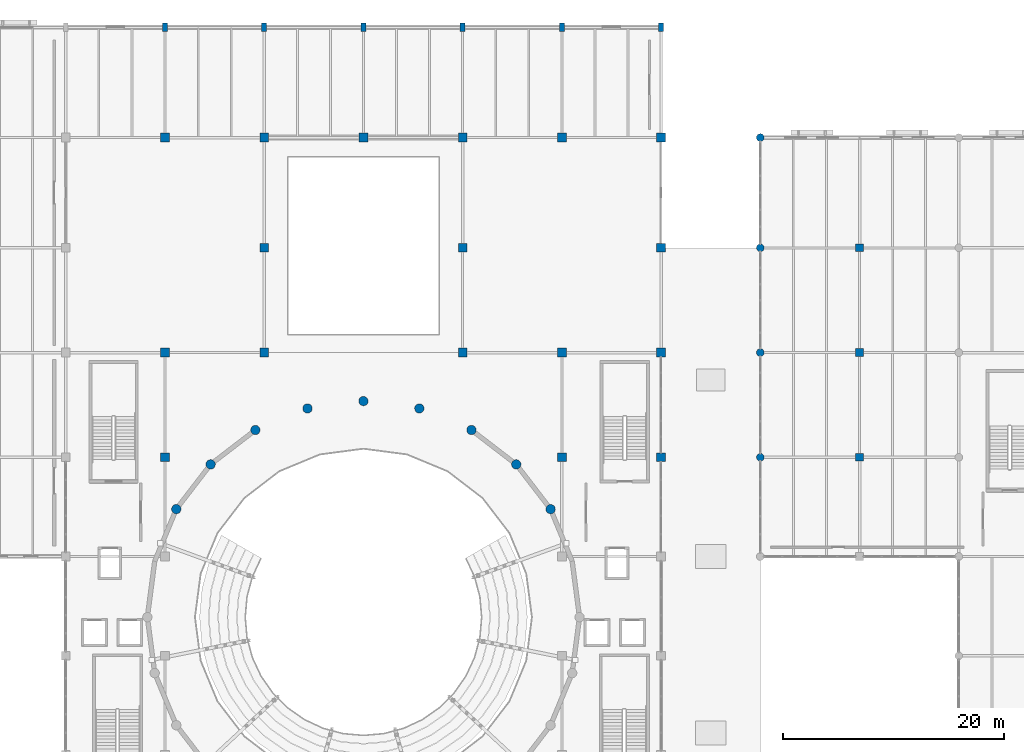
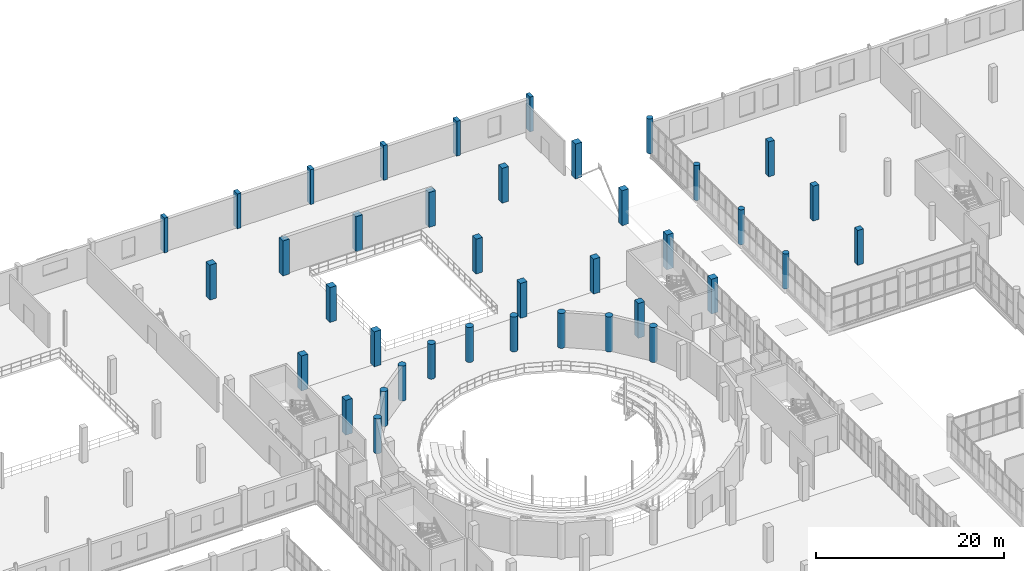
# One storey, part 16 of 93: 39 columns.
"""IFC4 building model written with IfcOpenShell, lengths in metres."""

from ifc_helpers import new_model, si_unit, direction, frame, origin, origin_2d, place, context, subcontext, project, spatial, rectangle, circle, extrude, material, material_profile, profile_set, type_object, element, save


model = new_model("IFC4")

# Units and contexts
model_context = context("Model", 3, precision=1e-05, world=origin(), true_north=direction((0.0, 1.0)))
body_context = subcontext(model_context, "Body", "Model", "MODEL_VIEW")
ifc_project = project(units=[si_unit("LENGTHUNIT", "METRE"), si_unit("AREAUNIT", "SQUARE_METRE"), si_unit("VOLUMEUNIT", "CUBIC_METRE"), si_unit("PLANEANGLEUNIT", "RADIAN"), si_unit("MASSUNIT", "GRAM", prefix="KILO")], contexts=[model_context])

# Site, building, storey
site_placement = place(None, origin())
site = spatial("IfcSite", under=ifc_project, at=site_placement, CompositionType="ELEMENT")
building_placement = place(site_placement, origin())
building = spatial("IfcBuilding", under=site, at=building_placement, Name="Marnock Terrace Opera House", CompositionType="ELEMENT")
storey_placement = place(building_placement, frame((0.0, 0.0, 5.39990234375)))
storey = spatial("IfcBuildingStorey", under=building, at=storey_placement, Name="L01", CompositionType="ELEMENT", Elevation=5.39990234375)

# Columns
ifc_material_1 = material(Name="Concrete N50 (f'c = 50 MPa)", Category="concrete")
ifc_material_profile_1 = material_profile(ifc_material_1, circle(Radius=0.425048828125, at=origin_2d()))
ifc_profile_set_1 = profile_set([ifc_material_profile_1], Name="Concrete N50 (f'c = 50 MPa)")
column_type_1 = type_object("IfcColumnType", Name="COL-DRUM-850", PredefinedType="COLUMN", material=ifc_profile_set_1)
for number, where, z_axis, x_axis, name in (
    (1, (98.97412109375, 70.300048828125, 0.0), (0.0, 0.0, 1.0), (1.0, 0.0, 0.0), "L01 auditorium drum pier 3"),
    (2, (95.85888671875, 74.35888671875, 0.0), (0.0, 0.0, 1.0), (1.0, 0.0, 0.0), "L01 auditorium drum pier 4"),
    (3, (91.800048828125, 77.47412109375, 0.0), (0.0, 0.0, 1.0), (1.0, 0.0, 0.0), "L01 auditorium drum pier 5"),
    (4, (87.072998046875, 79.431884765625, 0.0), (0.0, 0.0, 1.0), (1.0, 0.0, 0.0), "L01 auditorium drum pier 6"),
    (5, (82.0, 80.10009765625, 0.0), (0.0, 0.0, 1.0), (1.0, 0.0, 0.0), "L01 auditorium drum pier 7"),
    (6, (76.927001953125, 79.431884765625, 0.0), (0.0, 0.0, 1.0), (1.0, 0.0, 0.0), "L01 auditorium drum pier 8"),
    (7, (72.199951171875, 77.47412109375, 0.0), (0.0, 0.0, 1.0), (1.0, 0.0, 0.0), "L01 auditorium drum pier 9"),
    (8, (68.14111328125, 74.35888671875, 0.0), (0.0, 0.0, 1.0), (1.0, 0.0, 0.0), "L01 auditorium drum pier 10"),
    (9, (65.02587890625, 70.300048828125, 0.0), (0.0, 0.0, 1.0), (1.0, 0.0, 0.0), "L01 auditorium drum pier 11"),
):
    element("IfcColumn", number, at=place(storey_placement, frame(where, z_axis=z_axis, x_axis=x_axis)), inside=storey, type_object=column_type_1, Name=name, PredefinedType="COLUMN", context=body_context, shape_type="SweptSolid", body=[
        extrude(circle(Radius=0.425048828125, at=origin_2d()), origin(), (0.0, 0.0, 1.0), 4.5400390625),
    ])
ifc_material_2 = material(Name="Concrete N40 (f'c = 40 MPa)", Category="concrete")
ifc_material_profile_2 = material_profile(ifc_material_2, circle(Radius=0.35009765625, at=origin_2d()))
ifc_profile_set_2 = profile_set([ifc_material_profile_2], Name="Concrete N40 (f'c = 40 MPa)")
column_type_2 = type_object("IfcColumnType", Name="COL-LOGGIA-700", PredefinedType="COLUMN", material=ifc_profile_set_2)
for number, where, z_axis, x_axis, name in (
    (10, (118.0, 75.0, 0.0), (0.0, 0.0, 1.0), (1.0, 0.0, 0.0), "L01 column at (118.0, 75.0)"),
    (11, (118.0, 84.5, 0.0), (0.0, 0.0, 1.0), (1.0, 0.0, 0.0), "L01 column at (118.0, 84.5)"),
    (12, (118.0, 94.0, 0.0), (0.0, 0.0, 1.0), (1.0, 0.0, 0.0), "L01 column at (118.0, 94.0)"),
    (13, (118.0, 104.0, 0.0), (0.0, 0.0, 1.0), (1.0, 0.0, 0.0), "L01 column at (118.0, 104.0)"),
):
    element("IfcColumn", number, at=place(storey_placement, frame(where, z_axis=z_axis, x_axis=x_axis)), inside=storey, type_object=column_type_2, Name=name, PredefinedType="COLUMN", context=body_context, shape_type="SweptSolid", body=[
        extrude(circle(Radius=0.35009765625, at=origin_2d()), origin(), (0.0, 0.0, 1.0), 4.5400390625),
    ])
ifc_material_profile_3 = material_profile(ifc_material_2, rectangle(XDim=0.449951171875, YDim=0.800048828125, at=origin_2d()))
ifc_profile_set_3 = profile_set([ifc_material_profile_3], Name="Concrete N40 (f'c = 40 MPa)")
column_type_3 = type_object("IfcColumnType", Name="COL-PIL-800", PredefinedType="PILASTER", material=ifc_profile_set_3)
for number, where, z_axis, x_axis, name in (
    (14, (64.0, 114.0, 0.0), (0.0, 0.0, 1.0), (1.0, 0.0, 0.0), "L01 column at (64.0, 114.0)"),
    (15, (73.0, 114.0, 0.0), (0.0, 0.0, 1.0), (1.0, 0.0, 0.0), "L01 column at (73.0, 114.0)"),
    (16, (82.0, 114.0, 0.0), (0.0, 0.0, 1.0), (1.0, 0.0, 0.0), "L01 column at (82.0, 114.0)"),
    (17, (91.0, 114.0, 0.0), (0.0, 0.0, 1.0), (1.0, 0.0, 0.0), "L01 column at (91.0, 114.0)"),
    (18, (100.0, 114.0, 0.0), (0.0, 0.0, 1.0), (1.0, 0.0, 0.0), "L01 column at (100.0, 114.0)"),
    (19, (109.0, 114.0, 0.0), (0.0, 0.0, 1.0), (1.0, 0.0, 0.0), "L01 column at (109.0, 114.0)"),
):
    element("IfcColumn", number, at=place(storey_placement, frame(where, z_axis=z_axis, x_axis=x_axis)), inside=storey, type_object=column_type_3, Name=name, PredefinedType="PILASTER", context=body_context, shape_type="SweptSolid", body=[
        extrude(rectangle(XDim=0.449951171875, YDim=0.800048828125, at=origin_2d()), origin(), (0.0, 0.0, 1.0), 4.5400390625),
    ])
ifc_material_profile_4 = material_profile(ifc_material_2, rectangle(XDim=0.699951171875, YDim=0.699951171875, at=origin_2d()))
ifc_profile_set_4 = profile_set([ifc_material_profile_4], Name="Concrete N40 (f'c = 40 MPa)")
column_type_4 = type_object("IfcColumnType", Name="COL-RC700", PredefinedType="COLUMN", material=ifc_profile_set_4)
for number, where, z_axis, x_axis, name in (
    (20, (127.0, 75.0, 0.0), (0.0, 0.0, 1.0), (1.0, 0.0, 0.0), "L01 column at (127.0, 75.0)"),
    (21, (127.0, 84.5, 0.0), (0.0, 0.0, 1.0), (1.0, 0.0, 0.0), "L01 column at (127.0, 84.5)"),
    (22, (127.0, 94.0, 0.0), (0.0, 0.0, 1.0), (1.0, 0.0, 0.0), "L01 column at (127.0, 94.0)"),
):
    element("IfcColumn", number, at=place(storey_placement, frame(where, z_axis=z_axis, x_axis=x_axis)), inside=storey, type_object=column_type_4, Name=name, PredefinedType="COLUMN", context=body_context, shape_type="SweptSolid", body=[
        extrude(rectangle(XDim=0.699951171875, YDim=0.699951171875, at=origin_2d()), origin(), (0.0, 0.0, 1.0), 4.5400390625),
    ])
ifc_material_profile_5 = material_profile(ifc_material_1, rectangle(XDim=0.800048828125, YDim=0.800048828125, at=origin_2d()))
ifc_profile_set_5 = profile_set([ifc_material_profile_5], Name="Concrete N50 (f'c = 50 MPa)")
column_type_5 = type_object("IfcColumnType", Name="COL-RC800", PredefinedType="COLUMN", material=ifc_profile_set_5)
for number, where, z_axis, x_axis, name in (
    (23, (64.0, 75.0, 0.0), (0.0, 0.0, 1.0), (1.0, 0.0, 0.0), "L01 column at (64.0, 75.0)"),
    (24, (64.0, 84.5, 0.0), (0.0, 0.0, 1.0), (1.0, 0.0, 0.0), "L01 column at (64.0, 84.5)"),
    (25, (64.0, 104.0, 0.0), (0.0, 0.0, 1.0), (1.0, 0.0, 0.0), "L01 column at (64.0, 104.0)"),
    (26, (73.0, 84.5, 0.0), (0.0, 0.0, 1.0), (1.0, 0.0, 0.0), "L01 column at (73.0, 84.5)"),
    (27, (73.0, 94.0, 0.0), (0.0, 0.0, 1.0), (1.0, 0.0, 0.0), "L01 column at (73.0, 94.0)"),
    (28, (73.0, 104.0, 0.0), (0.0, 0.0, 1.0), (1.0, 0.0, 0.0), "L01 column at (73.0, 104.0)"),
    (29, (82.0, 104.0, 0.0), (0.0, 0.0, 1.0), (1.0, 0.0, 0.0), "L01 column at (82.0, 104.0)"),
    (30, (91.0, 84.5, 0.0), (0.0, 0.0, 1.0), (1.0, 0.0, 0.0), "L01 column at (91.0, 84.5)"),
    (31, (91.0, 94.0, 0.0), (0.0, 0.0, 1.0), (1.0, 0.0, 0.0), "L01 column at (91.0, 94.0)"),
    (32, (91.0, 104.0, 0.0), (0.0, 0.0, 1.0), (1.0, 0.0, 0.0), "L01 column at (91.0, 104.0)"),
    (33, (100.0, 75.0, 0.0), (0.0, 0.0, 1.0), (1.0, 0.0, 0.0), "L01 column at (100.0, 75.0)"),
    (34, (100.0, 84.5, 0.0), (0.0, 0.0, 1.0), (1.0, 0.0, 0.0), "L01 column at (100.0, 84.5)"),
    (35, (100.0, 104.0, 0.0), (0.0, 0.0, 1.0), (1.0, 0.0, 0.0), "L01 column at (100.0, 104.0)"),
    (36, (109.0, 75.0, 0.0), (0.0, 0.0, 1.0), (1.0, 0.0, 0.0), "L01 column at (109.0, 75.0)"),
    (37, (109.0, 84.5, 0.0), (0.0, 0.0, 1.0), (1.0, 0.0, 0.0), "L01 column at (109.0, 84.5)"),
    (38, (109.0, 94.0, 0.0), (0.0, 0.0, 1.0), (1.0, 0.0, 0.0), "L01 column at (109.0, 94.0)"),
    (39, (109.0, 104.0, 0.0), (0.0, 0.0, 1.0), (1.0, 0.0, 0.0), "L01 column at (109.0, 104.0)"),
):
    element("IfcColumn", number, at=place(storey_placement, frame(where, z_axis=z_axis, x_axis=x_axis)), inside=storey, type_object=column_type_5, Name=name, PredefinedType="COLUMN", context=body_context, shape_type="SweptSolid", body=[
        extrude(rectangle(XDim=0.800048828125, YDim=0.800048828125, at=origin_2d()), origin(), (0.0, 0.0, 1.0), 4.5400390625),
    ])

save(model, "model.ifc")
